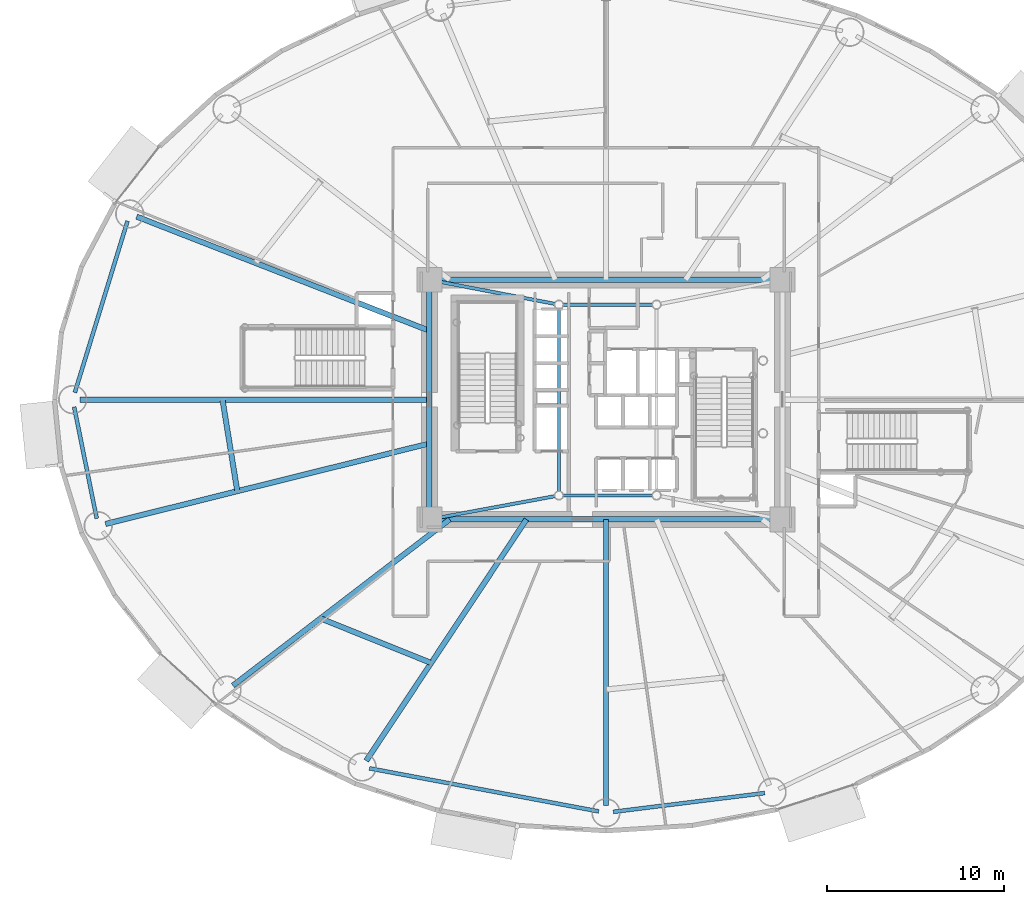
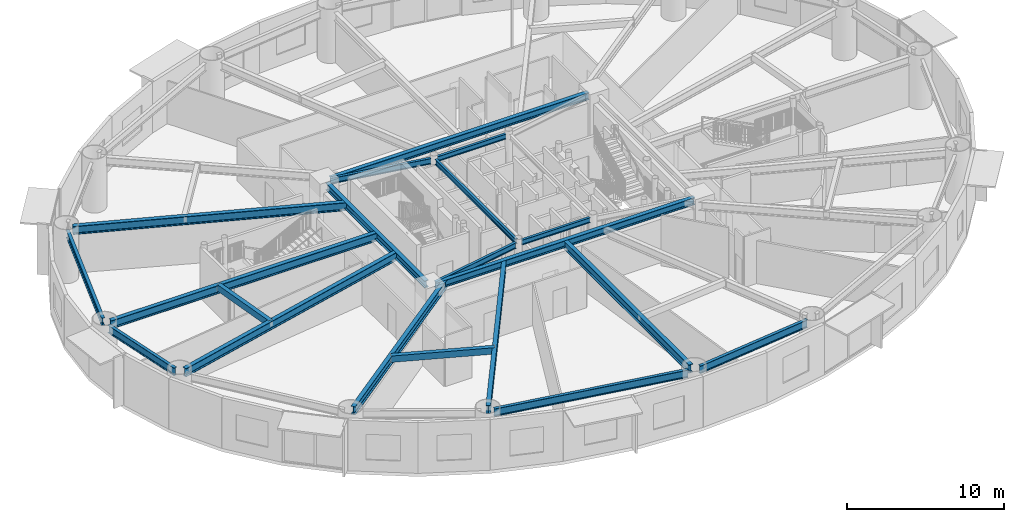
# One storey, part 6 of 35: 20 beams.
"""IFC4 building model written with IfcOpenShell, lengths in metres."""

from ifc_helpers import new_model, si_unit, direction, frame, origin, origin_2d, place, context, subcontext, project, spatial, hollow_rectangle, i_section, extrude, material, material_profile, profile_set, type_object, element, save


model = new_model("IFC4")

# Units and contexts
model_context = context("Model", 3, precision=1e-05, world=origin(), true_north=direction((0.0, 1.0)))
body_context = subcontext(model_context, "Body", "Model", "MODEL_VIEW")
ifc_project = project(units=[si_unit("LENGTHUNIT", "METRE"), si_unit("AREAUNIT", "SQUARE_METRE"), si_unit("VOLUMEUNIT", "CUBIC_METRE"), si_unit("PLANEANGLEUNIT", "RADIAN"), si_unit("MASSUNIT", "GRAM", prefix="KILO")], contexts=[model_context])

# Site, building, storey
site_placement = place(None, origin())
site = spatial("IfcSite", under=ifc_project, at=site_placement, CompositionType="ELEMENT")
building_placement = place(site_placement, origin())
building = spatial("IfcBuilding", under=site, at=building_placement, Name="Linh Dai School and Residence Tower", CompositionType="ELEMENT")
storey_placement = place(building_placement, frame((0.0, 0.0, 49.199951171875)))
storey = spatial("IfcBuildingStorey", under=building, at=storey_placement, Name="L11", CompositionType="ELEMENT", Elevation=49.199951171875)

# Beams
ifc_material = material(Name="Structural Steel S355JR", Category="steel")
ifc_material_profile_1 = material_profile(ifc_material, hollow_rectangle(XDim=0.300048828125, YDim=0.5, WallThickness=0.01611328125, at=origin_2d()), Name="RHS 500x300x16")
ifc_profile_set_1 = profile_set([ifc_material_profile_1], Name="Structural Steel S355JR")
beam_type_1 = type_object("IfcBeamType", Name="BM-BX5", PredefinedType="BEAM", material=ifc_profile_set_1)
beam_1_placement = place(storey_placement, frame((14.392822265625, 26.9951171875, 3.699951171875), z_axis=(0.159632523434, -0.987176507754, 0.0), x_axis=(0.987176507754, 0.159632523434, 0.0)))
element("IfcBeam", 1, at=beam_1_placement, inside=storey, type_object=beam_type_1, Name="L11 Secondary Circumferential Floor Beam 05", PredefinedType="BEAM", context=body_context, shape_type="SweptSolid", body=[
    extrude(hollow_rectangle(XDim=0.300048828125, YDim=0.5, WallThickness=0.01611328125, at=origin_2d()), origin(), (0.0, 0.0, 1.0), 5.21826171875),
])
beam_2_placement = place(storey_placement, frame((19.921875, 14.6689453125, 3.699951171875), z_axis=(0.927542803202, -0.373716935968, 0.0), x_axis=(0.373716935968, 0.927542803202, 0.0)))
element("IfcBeam", 2, at=beam_2_placement, inside=storey, type_object=beam_type_1, Name="L11 Secondary Circumferential Floor Beam 06", PredefinedType="BEAM", context=body_context, shape_type="SweptSolid", body=[
    extrude(hollow_rectangle(XDim=0.300048828125, YDim=0.5, WallThickness=0.01611328125, at=origin_2d()), origin(), (0.0, 0.0, 1.0), 6.709716796875),
])
ifc_material_profile_2 = material_profile(ifc_material, i_section(OverallWidth=0.219970703125, OverallDepth=0.60009765625, WebThickness=0.011962890625, FlangeThickness=0.01904296875, FilletRadius=0.02392578125, at=origin_2d()), Name="IPE 600")
ifc_profile_set_2 = profile_set([ifc_material_profile_2], Name="Structural Steel S355JR")
beam_type_2 = type_object("IfcBeamType", Name="BM-RB60", PredefinedType="BEAM", material=ifc_profile_set_2)
beam_3_placement = place(storey_placement, frame((9.041259765625, 37.062255859375, 3.650146484375), z_axis=(-0.293673329015, -0.95590584046, 0.0), x_axis=(0.95590584046, -0.293673329015, 0.0)))
element("IfcBeam", 3, at=beam_3_placement, inside=storey, type_object=beam_type_2, Name="L11 Perimeter Elliptical Ring Beam 08", PredefinedType="BEAM", context=body_context, shape_type="SweptSolid", body=[
    extrude(i_section(OverallWidth=0.219970703125, OverallDepth=0.60009765625, WebThickness=0.011962890625, FlangeThickness=0.01904296875, FilletRadius=0.02392578125, at=origin_2d()), origin(), (0.0, 0.0, 1.0), 10.1064453125),
])
beam_4_placement = place(storey_placement, frame((6.033447265625, 26.58837890625, 3.650146484375), z_axis=(0.198429171022, -0.980115230005, 0.0), x_axis=(0.980115230005, 0.198429171022, 0.0)))
element("IfcBeam", 4, at=beam_4_placement, inside=storey, type_object=beam_type_2, Name="L11 Perimeter Elliptical Ring Beam 09", PredefinedType="BEAM", context=body_context, shape_type="SweptSolid", body=[
    extrude(i_section(OverallWidth=0.219970703125, OverallDepth=0.60009765625, WebThickness=0.011962890625, FlangeThickness=0.01904296875, FilletRadius=0.02392578125, at=origin_2d()), origin(), (0.0, 0.0, 1.0), 6.41259765625),
])
beam_5_placement = place(storey_placement, frame((22.67431640625, 6.223388671875, 3.650146484375), z_axis=(0.982808389171, -0.184628465236, 0.0), x_axis=(0.184628465236, 0.982808389171, 0.0)))
element("IfcBeam", 5, at=beam_5_placement, inside=storey, type_object=beam_type_2, Name="L11 Perimeter Elliptical Ring Beam 12", PredefinedType="BEAM", context=body_context, shape_type="SweptSolid", body=[
    extrude(i_section(OverallWidth=0.219970703125, OverallDepth=0.60009765625, WebThickness=0.011962890625, FlangeThickness=0.01904296875, FilletRadius=0.02392578125, at=origin_2d()), origin(), (0.0, 0.0, 1.0), 13.138671875),
])
beam_6_placement = place(storey_placement, frame((36.416748046875, 3.771728515625, 3.650146484375), z_axis=(0.99240113372, 0.123044665842, 0.0), x_axis=(-0.123044665842, 0.99240113372, 0.0)))
element("IfcBeam", 6, at=beam_6_placement, inside=storey, type_object=beam_type_2, Name="L11 Perimeter Elliptical Ring Beam 13", PredefinedType="BEAM", context=body_context, shape_type="SweptSolid", body=[
    extrude(i_section(OverallWidth=0.219970703125, OverallDepth=0.60009765625, WebThickness=0.011962890625, FlangeThickness=0.01904296875, FilletRadius=0.02392578125, at=origin_2d()), origin(), (0.0, 0.0, 1.0), 8.58935546875),
])
ifc_material_profile_3 = material_profile(ifc_material, i_section(OverallWidth=0.300048828125, OverallDepth=0.550048828125, WebThickness=0.014892578125, FlangeThickness=0.029052734375, FilletRadius=0.027099609375, at=origin_2d()), Name="HEB 550")
ifc_profile_set_3 = profile_set([ifc_material_profile_3], Name="Structural Steel S355JR")
beam_type_3 = type_object("IfcBeamType", Name="BM-RG55", PredefinedType="BEAM", material=ifc_profile_set_3)
for number, where, z_axis, x_axis, name in (
    (7, (26.469970703125, 20.25, 3.675048828125), (1.0, 0.0, 0.0), (0.0, 1.0, 0.0), "L11 Core Perimeter Coupling Girder 1"),
    (8, (45.530029296875, 33.75, 3.675048828125), (-1.0, 0.0, 0.0), (0.0, -1.0, 0.0), "L11 Core Perimeter Coupling Girder 3"),
):
    element("IfcBeam", number, at=place(storey_placement, frame(where, z_axis=z_axis, x_axis=x_axis)), inside=storey, type_object=beam_type_3, Name=name, PredefinedType="BEAM", context=body_context, shape_type="SweptSolid", body=[
        extrude(i_section(OverallWidth=0.300048828125, OverallDepth=0.550048828125, WebThickness=0.014892578125, FlangeThickness=0.029052734375, FilletRadius=0.027099609375, at=origin_2d()), origin(), (0.0, 0.0, 1.0), 19.06005859375),
    ])
beam_7_placement = place(storey_placement, frame((26.050048828125, 33.330078125, 3.675048828125), z_axis=(0.0, -1.0, 0.0), x_axis=(1.0, 0.0, 0.0)))
element("IfcBeam", 9, at=beam_7_placement, inside=storey, type_object=beam_type_3, Name="L11 Core Perimeter Coupling Girder 4", PredefinedType="BEAM", context=body_context, shape_type="SweptSolid", body=[
    extrude(i_section(OverallWidth=0.300048828125, OverallDepth=0.550048828125, WebThickness=0.014892578125, FlangeThickness=0.029052734375, FilletRadius=0.027099609375, at=origin_2d()), origin(), (0.0, 0.0, 1.0), 12.66015625),
])
ifc_material_profile_4 = material_profile(ifc_material, i_section(OverallWidth=0.300048828125, OverallDepth=0.64990234375, WebThickness=0.01611328125, FlangeThickness=0.031005859375, FilletRadius=0.027099609375, at=origin_2d()), Name="HEB 650")
ifc_profile_set_4 = profile_set([ifc_material_profile_4], Name="Structural Steel S355JR")
beam_type_4 = type_object("IfcBeamType", Name="BM-RG65", PredefinedType="BEAM", material=ifc_profile_set_4)
beam_8_placement = place(storey_placement, frame((26.050048828125, 30.879638671875, 3.625), z_axis=(-0.93167509369, 0.363292609061, 0.0), x_axis=(-0.363292609061, -0.93167509369, 0.0)))
element("IfcBeam", 10, at=beam_8_placement, inside=storey, type_object=beam_type_4, Name="L11 Primary Radial Floor Girder 08", PredefinedType="BEAM", context=body_context, shape_type="SweptSolid", body=[
    extrude(i_section(OverallWidth=0.300048828125, OverallDepth=0.64990234375, WebThickness=0.01611328125, FlangeThickness=0.031005859375, FilletRadius=0.027099609375, at=origin_2d()), origin(), (0.0, 0.0, 1.0), 17.703857421875),
])
beam_9_placement = place(storey_placement, frame((26.050048828125, 27.0, 3.625), z_axis=(-1.0, 0.0, 0.0), x_axis=(0.0, -1.0, 0.0)))
element("IfcBeam", 11, at=beam_9_placement, inside=storey, type_object=beam_type_4, Name="L11 Primary Radial Floor Girder 09", PredefinedType="BEAM", context=body_context, shape_type="SweptSolid", body=[
    extrude(i_section(OverallWidth=0.300048828125, OverallDepth=0.64990234375, WebThickness=0.01611328125, FlangeThickness=0.031005859375, FilletRadius=0.027099609375, at=origin_2d()), origin(), (0.0, 0.0, 1.0), 19.679931640625),
])
beam_10_placement = place(storey_placement, frame((26.050048828125, 24.52783203125, 3.625), z_axis=(-0.970493481328, -0.241127357843, 0.0), x_axis=(0.241127357843, -0.970493481328, 0.0)))
element("IfcBeam", 12, at=beam_10_placement, inside=storey, type_object=beam_type_4, Name="L11 Primary Radial Floor Girder 10", PredefinedType="BEAM", context=body_context, shape_type="SweptSolid", body=[
    extrude(i_section(OverallWidth=0.300048828125, OverallDepth=0.64990234375, WebThickness=0.01611328125, FlangeThickness=0.031005859375, FilletRadius=0.027099609375, at=origin_2d()), origin(), (0.0, 0.0, 1.0), 18.80810546875),
])
beam_11_placement = place(storey_placement, frame((27.195068359375, 20.25, 3.625), z_axis=(-0.793637764155, -0.608390581212, 0.0), x_axis=(0.608390581212, -0.793637764155, 0.0)))
element("IfcBeam", 13, at=beam_11_placement, inside=storey, type_object=beam_type_4, Name="L11 Primary Radial Floor Girder 11", PredefinedType="BEAM", context=body_context, shape_type="SweptSolid", body=[
    extrude(i_section(OverallWidth=0.300048828125, OverallDepth=0.64990234375, WebThickness=0.01611328125, FlangeThickness=0.031005859375, FilletRadius=0.027099609375, at=origin_2d()), origin(), (0.0, 0.0, 1.0), 15.390625),
])
beam_12_placement = place(storey_placement, frame((31.52001953125, 20.25, 3.625), z_axis=(-0.55300421354, -0.833178456158, 0.0), x_axis=(0.833178456158, -0.55300421354, 0.0)))
element("IfcBeam", 14, at=beam_12_placement, inside=storey, type_object=beam_type_4, Name="L11 Primary Radial Floor Girder 12", PredefinedType="BEAM", context=body_context, shape_type="SweptSolid", body=[
    extrude(i_section(OverallWidth=0.300048828125, OverallDepth=0.64990234375, WebThickness=0.01611328125, FlangeThickness=0.031005859375, FilletRadius=0.027099609375, at=origin_2d()), origin(), (0.0, 0.0, 1.0), 16.322021484375),
])
beam_13_placement = place(storey_placement, frame((36.0, 20.25, 3.625), z_axis=(0.0, -1.0, 0.0), x_axis=(1.0, 0.0, 0.0)))
element("IfcBeam", 15, at=beam_13_placement, inside=storey, type_object=beam_type_4, Name="L11 Primary Radial Floor Girder 13", PredefinedType="BEAM", context=body_context, shape_type="SweptSolid", body=[
    extrude(i_section(OverallWidth=0.300048828125, OverallDepth=0.64990234375, WebThickness=0.01611328125, FlangeThickness=0.031005859375, FilletRadius=0.027099609375, at=origin_2d()), origin(), (0.0, 0.0, 1.0), 16.110107421875),
])
ifc_material_profile_5 = material_profile(ifc_material, i_section(OverallWidth=0.179931640625, OverallDepth=0.39990234375, WebThickness=0.008544921875, FlangeThickness=0.013427734375, FilletRadius=0.02099609375, at=origin_2d()), Name="IPE 400")
ifc_profile_set_5 = profile_set([ifc_material_profile_5], Name="Structural Steel S355JR")
beam_type_5 = type_object("IfcBeamType", Name="BM-SB40", PredefinedType="BEAM", material=ifc_profile_set_5)
for number, where, z_axis, x_axis, name in (
    (16, (33.573974609375, 21.60009765625, 3.75), (1.0, 0.0, 0.0), (0.0, 1.0, 0.0), "L11 Core Mast Pier Tie Beam 1"),
    (17, (38.6259765625, 32.35009765625, 3.75), (-1.0, 0.0, 0.0), (0.0, -1.0, 0.0), "L11 Core Mast Pier Tie Beam 3"),
):
    element("IfcBeam", number, at=place(storey_placement, frame(where, z_axis=z_axis, x_axis=x_axis)), inside=storey, type_object=beam_type_5, Name=name, PredefinedType="BEAM", context=body_context, shape_type="SweptSolid", body=[
        extrude(i_section(OverallWidth=0.179931640625, OverallDepth=0.39990234375, WebThickness=0.008544921875, FlangeThickness=0.013427734375, FilletRadius=0.02099609375, at=origin_2d()), origin(), (0.0, 0.0, 1.0), 5.052001953125),
    ])
beam_14_placement = place(storey_placement, frame((33.35009765625, 32.1259765625, 3.75), z_axis=(0.0, -1.0, 0.0), x_axis=(1.0, 0.0, 0.0)))
element("IfcBeam", 18, at=beam_14_placement, inside=storey, type_object=beam_type_5, Name="L11 Core Mast Pier Tie Beam 4", PredefinedType="BEAM", context=body_context, shape_type="SweptSolid", body=[
    extrude(i_section(OverallWidth=0.179931640625, OverallDepth=0.39990234375, WebThickness=0.008544921875, FlangeThickness=0.013427734375, FilletRadius=0.02099609375, at=origin_2d()), origin(), (0.0, 0.0, 1.0), 10.302001953125),
])
ifc_material_profile_6 = material_profile(ifc_material, i_section(OverallWidth=0.18994140625, OverallDepth=0.449951171875, WebThickness=0.009521484375, FlangeThickness=0.0146484375, FilletRadius=0.02099609375, at=origin_2d()), Name="IPE 450")
ifc_profile_set_6 = profile_set([ifc_material_profile_6], Name="Structural Steel S355JR")
beam_type_6 = type_object("IfcBeamType", Name="BM-SB45", PredefinedType="BEAM", material=ifc_profile_set_6)
beam_15_placement = place(storey_placement, frame((26.462890625, 20.326416015625, 3.72509765625), z_axis=(0.983326152819, 0.18185070025, 0.0), x_axis=(-0.18185070025, 0.983326152819, 0.0)))
element("IfcBeam", 19, at=beam_15_placement, inside=storey, type_object=beam_type_6, Name="L11 Core Corner-to-Mast Pier Beam 1", PredefinedType="BEAM", context=body_context, shape_type="SweptSolid", body=[
    extrude(i_section(OverallWidth=0.18994140625, OverallDepth=0.449951171875, WebThickness=0.009521484375, FlangeThickness=0.0146484375, FilletRadius=0.02099609375, at=origin_2d()), origin(), (0.0, 0.0, 1.0), 6.77978515625),
])
beam_16_placement = place(storey_placement, frame((26.46240234375, 33.6708984375, 3.72509765625), z_axis=(0.982100456787, -0.188357884832, 0.0), x_axis=(0.188357884832, 0.982100456787, 0.0)))
element("IfcBeam", 20, at=beam_16_placement, inside=storey, type_object=beam_type_6, Name="L11 Core Corner-to-Mast Pier Beam 4", PredefinedType="BEAM", context=body_context, shape_type="SweptSolid", body=[
    extrude(i_section(OverallWidth=0.18994140625, OverallDepth=0.449951171875, WebThickness=0.009521484375, FlangeThickness=0.0146484375, FilletRadius=0.02099609375, at=origin_2d()), origin(), (0.0, 0.0, 1.0), 6.789306640625),
])

save(model, "model.ifc")
